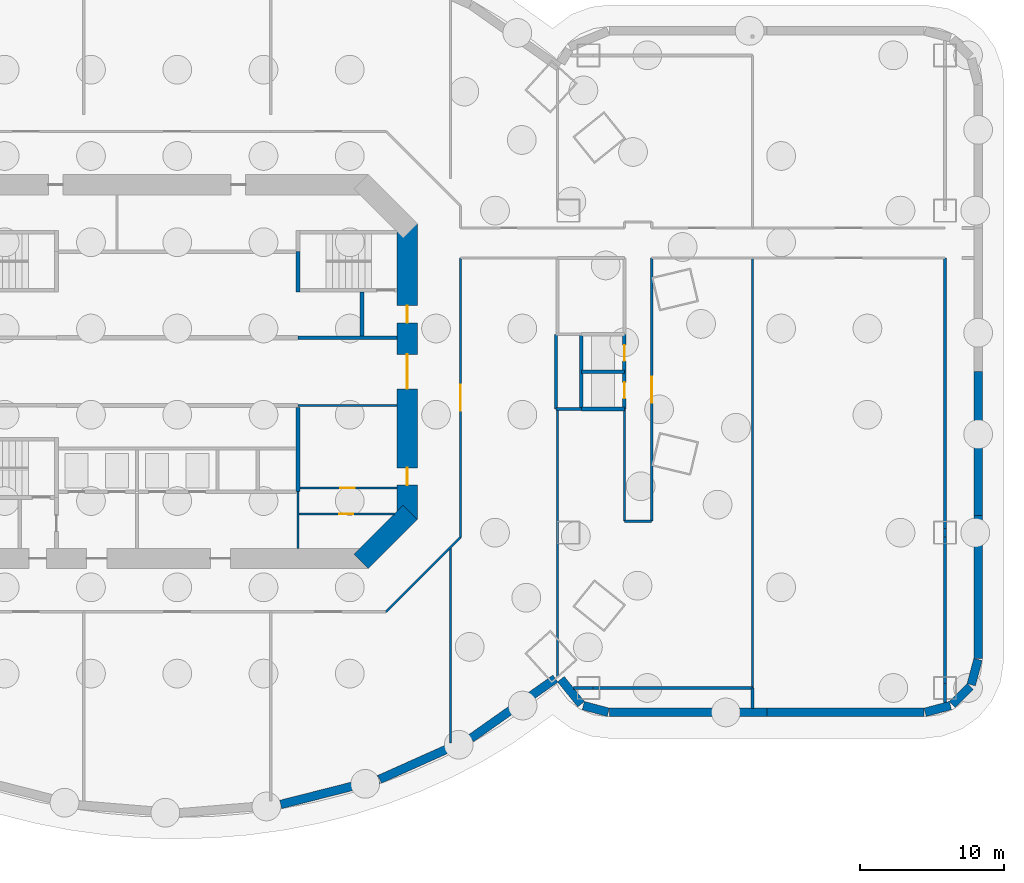
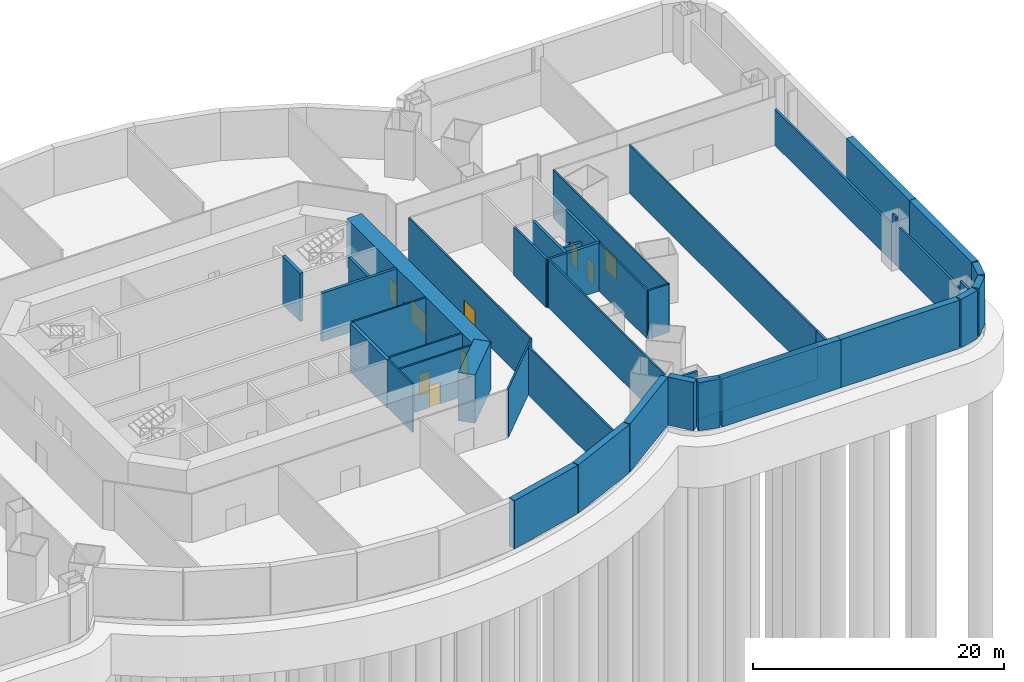
# One storey, part 5 of 9: 43 walls, 9 doors, 9 openings.
"""IFC4 building model written with IfcOpenShell, lengths in metres."""

from ifc_helpers import new_model, si_unit, direction, frame, frame_2d, origin, place, context, subcontext, project, spatial, rectangle, extrude, material, layer, layer_set, type_object, element, fill, save


model = new_model("IFC4")

# Units and contexts
model_context = context("Model", 3, precision=1e-05, world=origin(), true_north=direction((0.0, 1.0)))
body_context = subcontext(model_context, "Body", "Model", "MODEL_VIEW")
ifc_project = project(units=[si_unit("LENGTHUNIT", "METRE"), si_unit("AREAUNIT", "SQUARE_METRE"), si_unit("VOLUMEUNIT", "CUBIC_METRE"), si_unit("PLANEANGLEUNIT", "RADIAN"), si_unit("MASSUNIT", "GRAM", prefix="KILO")], contexts=[model_context])

# Site, building, storey
site_placement = place(None, origin())
site = spatial("IfcSite", under=ifc_project, at=site_placement, CompositionType="ELEMENT")
building_placement = place(site_placement, origin())
building = spatial("IfcBuilding", under=site, at=building_placement, Name="Marenthal Gate Tower", CompositionType="ELEMENT")
storey_placement = place(building_placement, frame((0.0, 0.0, -10.0)))
storey = spatial("IfcBuildingStorey", under=building, at=storey_placement, Name="B2", CompositionType="ELEMENT", Elevation=-10.0)

# Walls
ifc_material_1 = material(Name="Concrete 50 MPa", Category="concrete")
ifc_layer_1 = layer(ifc_material_1, 0.60009765625)
ifc_layer_set_1 = layer_set([ifc_layer_1], Name="BASEMENT WALL 600")
wall_type_1 = type_object("IfcWallType", Name="BASEMENT WALL 600", PredefinedType="SOLIDWALL", material=ifc_layer_set_1)
wall_1_placement = place(storey_placement, frame((7.191650390625, -30.1025390625, 0.0), z_axis=(0.0, 0.0, 1.0), x_axis=(0.96919567172, 0.246292001332, 0.0)))
element("IfcWall", 1, at=wall_1_placement, inside=storey, type_object=wall_type_1, Name="BW-B2-06", PredefinedType="SOLIDWALL", context=body_context, shape_type="SweptSolid", body=[
    extrude(rectangle(XDim=7.061767578125, YDim=0.60009765625, at=frame_2d((3.53076171875, 0.0))), origin(), (0.0, 0.0, 1.0), 4.699951171875),
])
wall_2_placement = place(storey_placement, frame((14.0830078125, -28.346923828125, 0.0), z_axis=(0.0, 0.0, 1.0), x_axis=(0.912658583427, 0.40872277903, 0.0)))
element("IfcWall", 2, at=wall_2_placement, inside=storey, type_object=wall_type_1, Name="BW-B2-07", PredefinedType="SOLIDWALL", context=body_context, shape_type="SweptSolid", body=[
    extrude(rectangle(XDim=6.902587890625, YDim=0.60009765625, at=frame_2d((3.451171875, 0.0))), origin(), (0.0, 0.0, 1.0), 4.699951171875),
])
wall_3_placement = place(storey_placement, frame((20.431884765625, -25.497802734375, 0.0), z_axis=(0.0, 0.0, 1.0), x_axis=(0.816770877084, 0.576962160238, 0.0)))
element("IfcWall", 3, at=wall_3_placement, inside=storey, type_object=wall_type_1, Name="BW-B2-08", PredefinedType="SOLIDWALL", context=body_context, shape_type="SweptSolid", body=[
    extrude(rectangle(XDim=7.180419921875, YDim=0.60009765625, at=frame_2d((3.59033203125, 0.0))), origin(), (0.0, 0.0, 1.0), 4.699951171875),
])
wall_4_placement = place(storey_placement, frame((26.683349609375, -21.38720703125, 0.0), z_axis=(0.0, 0.0, 1.0), x_axis=(0.62890612744, -0.777481242776, 0.0)))
element("IfcWall", 4, at=wall_4_placement, inside=storey, type_object=wall_type_1, Name="BW-B2-09", PredefinedType="SOLIDWALL", context=body_context, shape_type="SweptSolid", body=[
    extrude(rectangle(XDim=2.236328125, YDim=0.60009765625, at=frame_2d((1.1181640625, 0.0))), origin(), (0.0, 0.0, 1.0), 4.699951171875),
])
wall_5_placement = place(storey_placement, frame((28.243408203125, -23.2265625, 0.0), z_axis=(0.0, 0.0, 1.0), x_axis=(0.966257460443, -0.257578182573, 0.0)))
element("IfcWall", 5, at=wall_5_placement, inside=storey, type_object=wall_type_1, Name="BW-B2-10", PredefinedType="SOLIDWALL", context=body_context, shape_type="SweptSolid", body=[
    extrude(rectangle(XDim=1.799072265625, YDim=0.60009765625, at=frame_2d((0.8994140625, 0.0))), origin(), (0.0, 0.0, 1.0), 4.699951171875),
])
wall_6_placement = place(storey_placement, frame((30.05712890625, -23.699951171875, 0.0), z_axis=(0.0, 0.0, 1.0), x_axis=(1.0, 0.0, 0.0)))
element("IfcWall", 6, at=wall_6_placement, inside=storey, type_object=wall_type_1, Name="BW-B2-11", PredefinedType="SOLIDWALL", context=body_context, shape_type="SweptSolid", body=[
    extrude(rectangle(XDim=10.94287109375, YDim=0.60009765625, at=frame_2d((5.471435546875, 0.0))), origin(), (0.0, 0.0, 1.0), 4.699951171875),
])
wall_7_placement = place(storey_placement, frame((41.00048828125, -23.699951171875, 0.0), z_axis=(0.0, 0.0, 1.0), x_axis=(1.0, 0.0, 0.0)))
element("IfcWall", 7, at=wall_7_placement, inside=storey, type_object=wall_type_1, Name="BW-B2-12", PredefinedType="SOLIDWALL", context=body_context, shape_type="SweptSolid", body=[
    extrude(rectangle(XDim=10.9404296875, YDim=0.60009765625, at=frame_2d((5.47021484375, 0.0))), origin(), (0.0, 0.0, 1.0), 4.699951171875),
])
wall_8_placement = place(storey_placement, frame((52.0166015625, -23.690185546875, 0.0), z_axis=(0.0, 0.0, 1.0), x_axis=(0.966301872336, 0.257411521733, 0.0)))
element("IfcWall", 8, at=wall_8_placement, inside=storey, type_object=wall_type_1, Name="BW-B2-13", PredefinedType="SOLIDWALL", context=body_context, shape_type="SweptSolid", body=[
    extrude(rectangle(XDim=1.8154296875, YDim=0.60009765625, at=frame_2d((0.90771484375, 0.0))), origin(), (0.0, 0.0, 1.0), 4.699951171875),
])
wall_9_placement = place(storey_placement, frame((53.904052734375, -23.146484375, 0.0), z_axis=(0.0, 0.0, 1.0), x_axis=(0.707176340655, 0.707037214875, 0.0)))
element("IfcWall", 9, at=wall_9_placement, inside=storey, type_object=wall_type_1, Name="BW-B2-14", PredefinedType="SOLIDWALL", context=body_context, shape_type="SweptSolid", body=[
    extrude(rectangle(XDim=1.7548828125, YDim=0.60009765625, at=frame_2d((0.87744140625, 0.0))), origin(), (0.0, 0.0, 1.0), 4.699951171875),
])
wall_10_placement = place(storey_placement, frame((55.22216796875, -21.77294921875, 0.0), z_axis=(0.0, 0.0, 1.0), x_axis=(0.257595706611, 0.966252788837, 0.0)))
element("IfcWall", 10, at=wall_10_placement, inside=storey, type_object=wall_type_1, Name="BW-B2-15", PredefinedType="SOLIDWALL", context=body_context, shape_type="SweptSolid", body=[
    extrude(rectangle(XDim=1.81591796875, YDim=0.60009765625, at=frame_2d((0.907958984375, 0.0))), origin(), (0.0, 0.0, 1.0), 4.699951171875),
])
wall_11_placement = place(storey_placement, frame((55.699951171875, -19.94287109375, 0.0), z_axis=(0.0, 0.0, 1.0), x_axis=(0.0, 1.0, 0.0)))
element("IfcWall", 11, at=wall_11_placement, inside=storey, type_object=wall_type_1, Name="BW-B2-16", PredefinedType="SOLIDWALL", context=body_context, shape_type="SweptSolid", body=[
    extrude(rectangle(XDim=9.95263671875, YDim=0.60009765625, at=frame_2d((4.976318359375, 0.0))), origin(), (0.0, 0.0, 1.0), 4.699951171875),
])
wall_12_placement = place(storey_placement, frame((55.699951171875, -9.98974609375, 0.0), z_axis=(0.0, 0.0, 1.0), x_axis=(0.0, 1.0, 0.0)))
element("IfcWall", 12, at=wall_12_placement, inside=storey, type_object=wall_type_1, Name="BW-B2-17", PredefinedType="SOLIDWALL", context=body_context, shape_type="SweptSolid", body=[
    extrude(rectangle(XDim=9.98974609375, YDim=0.60009765625, at=frame_2d((4.994873046875, 0.0))), origin(), (0.0, 0.0, 1.0), 4.699951171875),
])
ifc_material_2 = material(Name="Concrete 60 MPa", Category="concrete")
ifc_layer_2 = layer(ifc_material_2, 1.39990234375)
ifc_layer_set_2 = layer_set([ifc_layer_2], Name="Core shear wall 1400")
wall_type_2 = type_object("IfcWallType", Name="Core shear wall 1400", PredefinedType="SHEAR", material=ifc_layer_set_2)
wall_13_placement = place(storey_placement, frame((12.794921875, -13.205078125, 0.0), z_axis=(0.0, 0.0, 1.0), x_axis=(0.707106781187, 0.707106781187, 0.0)))
element("IfcWall", 13, at=wall_13_placement, inside=storey, type_object=wall_type_2, Name="Core wall 01", PredefinedType="SHEAR", context=body_context, shape_type="SweptSolid", body=[
    extrude(rectangle(XDim=4.82275390625, YDim=1.39990234375, at=frame_2d((2.411376953125, 0.0))), origin(), (0.0, 0.0, 1.0), 4.699951171875),
])

# Wall, openings, doors
wall_14_placement = place(storey_placement, frame((16.0, -10.289794921875, 0.0), z_axis=(0.0, 0.0, 1.0), x_axis=(0.0, 1.0, 0.0)))
wall_14 = element("IfcWall", 14, at=wall_14_placement, inside=storey, type_object=wall_type_2, Name="Core wall 02", PredefinedType="SHEAR", context=body_context, shape_type="SweptSolid", body=[
    extrude(rectangle(XDim=20.57958984375, YDim=1.39990234375, at=frame_2d((10.289794921875, 0.0))), origin(), (0.0, 0.0, 1.0), 4.699951171875),
])
opening_1_placement = place(wall_14_placement, frame((9.08984375, 0.0, 0.0)))
opening_1 = element("IfcOpeningElement", 15, at=opening_1_placement, cuts=wall_14, Name="Opening D003.02", PredefinedType="OPENING", context=body_context, shape_type="SweptSolid", body=[
    extrude(rectangle(XDim=2.39990234375, YDim=2.10009765625, at=frame_2d((1.199951171875, 1.050048828125))), frame((0.0, 0.7099609375, 0.0), z_axis=(0.0, -1.0, 0.0), x_axis=(1.0, 0.0, 0.0)), (0.0, 0.0, 1.0), 1.419921875),
])
opening_2_placement = place(wall_14_placement, frame((13.68994140625, 0.0, 0.0)))
opening_2 = element("IfcOpeningElement", 16, at=opening_2_placement, cuts=wall_14, Name="Opening D001.05", PredefinedType="OPENING", context=body_context, shape_type="SweptSolid", body=[
    extrude(rectangle(XDim=1.199951171875, YDim=2.10009765625, at=frame_2d((0.60009765625, 1.050048828125))), frame((0.0, 0.7099609375, 0.0), z_axis=(0.0, -1.0, 0.0), x_axis=(1.0, 0.0, 0.0)), (0.0, 0.0, 1.0), 1.419921875),
])
opening_3_placement = place(wall_14_placement, frame((2.39990234375, 0.0, 0.0)))
opening_3 = element("IfcOpeningElement", 17, at=opening_3_placement, cuts=wall_14, Name="Opening D006.01", PredefinedType="OPENING", context=body_context, shape_type="SweptSolid", body=[
    extrude(rectangle(XDim=1.199951171875, YDim=2.10009765625, at=frame_2d((0.60009765625, 1.050048828125))), frame((0.0, 0.7099609375, 0.0), z_axis=(0.0, -1.0, 0.0), x_axis=(1.0, 0.0, 0.0)), (0.0, 0.0, 1.0), 1.419921875),
])
ifc_material_3 = material(Name="Steel fire door", Category="steel")
door_type_1 = type_object("IfcDoorType", Name="Double fire door FD 45 2400 x 2100", OperationType="DOUBLE_DOOR_SINGLE_SWING", PredefinedType="DOOR", material=ifc_material_3)
door_1_placement = place(opening_1_placement, origin())
door_1 = element("IfcDoor", 18, at=door_1_placement, inside=storey, type_object=door_type_1, Name="Door D003.02", OperationType="DOUBLE_DOOR_SINGLE_SWING", OverallHeight=2.10009765625, OverallWidth=2.39990234375, PredefinedType="DOOR", context=body_context, shape_type="SweptSolid", body=[
    extrude(rectangle(XDim=2.39990234375, YDim=2.10009765625, at=frame_2d((1.199951171875, 1.050048828125))), frame((0.0, 0.02490234375, 0.0), z_axis=(0.0, -1.0, 0.0), x_axis=(1.0, 0.0, 0.0)), (0.0, 0.0, 1.0), 0.050048828125),
])
fill(opening_1, door_1)
ifc_material_4 = material(Name="Steel fire door", Category="steel")
door_type_2 = type_object("IfcDoorType", Name="Fire door FD 45 1200 x 2100", OperationType="NOTDEFINED", PredefinedType="DOOR", material=ifc_material_4)
door_2_placement = place(opening_3_placement, origin())
door_2 = element("IfcDoor", 19, at=door_2_placement, inside=storey, type_object=door_type_2, Name="Door D006.01", OperationType="SINGLE_SWING_RIGHT", OverallHeight=2.10009765625, OverallWidth=1.199951171875, PredefinedType="DOOR", context=body_context, shape_type="SweptSolid", body=[
    extrude(rectangle(XDim=1.199951171875, YDim=2.10009765625, at=frame_2d((0.60009765625, 1.050048828125))), frame((0.0, 0.02490234375, 0.0), z_axis=(0.0, -1.0, 0.0), x_axis=(1.0, 0.0, 0.0)), (0.0, 0.0, 1.0), 0.050048828125),
])
fill(opening_3, door_2)
ifc_material_5 = material(Name="Steel fire door", Category="steel")
door_type_3 = type_object("IfcDoorType", Name="Fire door FD 90 1200 x 2100", OperationType="NOTDEFINED", PredefinedType="DOOR", material=ifc_material_5)
door_3_placement = place(opening_2_placement, origin())
door_3 = element("IfcDoor", 20, at=door_3_placement, inside=storey, type_object=door_type_3, Name="Door D001.05", OperationType="SINGLE_SWING_RIGHT", OverallHeight=2.10009765625, OverallWidth=1.199951171875, PredefinedType="DOOR", context=body_context, shape_type="SweptSolid", body=[
    extrude(rectangle(XDim=1.199951171875, YDim=2.10009765625, at=frame_2d((0.60009765625, 1.050048828125))), frame((0.0, 0.02490234375, 0.0), z_axis=(0.0, -1.0, 0.0), x_axis=(1.0, 0.0, 0.0)), (0.0, 0.0, 1.0), 0.050048828125),
])
fill(opening_2, door_3)

# Walls
ifc_material_6 = material(Name="Concrete 50 MPa", Category="concrete")
ifc_layer_3 = layer(ifc_material_6, 0.300048828125)
ifc_layer_set_3 = layer_set([ifc_layer_3], Name="Hoistway shear wall 300")
wall_type_3 = type_object("IfcWallType", Name="Hoistway shear wall 300", PredefinedType="SHEAR", material=ifc_layer_set_3)
wall_15_placement = place(storey_placement, frame((8.39990234375, -8.35009765625, 0.0), z_axis=(0.0, 0.0, 1.0), x_axis=(0.0, 1.0, 0.0)))
element("IfcWall", 21, at=wall_15_placement, inside=storey, type_object=wall_type_3, Name="Hoistway wall 39", PredefinedType="SHEAR", context=body_context, shape_type="SweptSolid", body=[
    extrude(rectangle(XDim=5.85009765625, YDim=0.300048828125, at=frame_2d((2.925048828125, 0.0))), origin(), (0.0, 0.0, 1.0), 4.699951171875),
])
wall_16_placement = place(storey_placement, frame((8.39990234375, 5.52490234375, 0.0), z_axis=(0.0, 0.0, 1.0), x_axis=(0.0, 1.0, 0.0)))
element("IfcWall", 22, at=wall_16_placement, inside=storey, type_object=wall_type_3, Name="Hoistway wall 40", PredefinedType="SHEAR", context=body_context, shape_type="SweptSolid", body=[
    extrude(rectangle(XDim=2.8251953125, YDim=0.300048828125, at=frame_2d((1.41259765625, 0.0))), origin(), (0.0, 0.0, 1.0), 4.699951171875),
])
ifc_material_7 = material(Name="Concrete 40 MPa", Category="concrete")
ifc_layer_4 = layer(ifc_material_7, 0.25)
ifc_layer_set_4 = layer_set([ifc_layer_4], Name="Hoistway wall 250")
wall_type_4 = type_object("IfcWallType", Name="Hoistway wall 250", PredefinedType="STANDARD", material=ifc_layer_set_4)
wall_17_placement = place(storey_placement, frame((28.10009765625, -2.60009765625, 0.0), z_axis=(0.0, 0.0, 1.0), x_axis=(1.0, 0.0, 0.0)))
element("IfcWall", 23, at=wall_17_placement, inside=storey, type_object=wall_type_4, Name="Hoistway wall 44", PredefinedType="STANDARD", context=body_context, shape_type="SweptSolid", body=[
    extrude(rectangle(XDim=3.0, YDim=0.25, at=frame_2d((1.5, 0.0))), origin(), (0.0, 0.0, 1.0), 4.699951171875),
])
wall_18_placement = place(storey_placement, frame((28.10009765625, 0.0, 0.0), z_axis=(0.0, 0.0, 1.0), x_axis=(1.0, 0.0, 0.0)))
element("IfcWall", 24, at=wall_18_placement, inside=storey, type_object=wall_type_4, Name="Hoistway wall 46", PredefinedType="STANDARD", context=body_context, shape_type="SweptSolid", body=[
    extrude(rectangle(XDim=3.0, YDim=0.25, at=frame_2d((1.5, 0.0))), origin(), (0.0, 0.0, 1.0), 3.199951171875),
])

# Wall, openings, doors
wall_19_placement = place(storey_placement, frame((31.10009765625, -2.60498046875, 0.0), z_axis=(0.0, 0.0, 1.0), x_axis=(0.0, 1.0, 0.0)))
wall_19 = element("IfcWall", 25, at=wall_19_placement, inside=storey, type_object=wall_type_4, Name="Hoistway wall 49", PredefinedType="STANDARD", context=body_context, shape_type="SweptSolid", body=[
    extrude(rectangle(XDim=5.2099609375, YDim=0.25, at=frame_2d((2.60498046875, 0.0))), origin(), (0.0, 0.0, 1.0), 4.699951171875),
])
opening_4_placement = place(wall_19_placement, frame((0.7548828125, 0.0, 0.0)))
opening_4 = element("IfcOpeningElement", 26, at=opening_4_placement, cuts=wall_19, Name="Opening LD.01", PredefinedType="OPENING", context=body_context, shape_type="SweptSolid", body=[
    extrude(rectangle(XDim=1.10009765625, YDim=2.10009765625, at=frame_2d((0.550048828125, 1.050048828125))), frame((0.0, 0.135009765625, 0.0), z_axis=(0.0, -1.0, 0.0), x_axis=(1.0, 0.0, 0.0)), (0.0, 0.0, 1.0), 0.27001953125),
])
opening_5_placement = place(wall_19_placement, frame((3.35498046875, 0.0, 0.0)))
opening_5 = element("IfcOpeningElement", 27, at=opening_5_placement, cuts=wall_19, Name="Opening LD.02", PredefinedType="OPENING", context=body_context, shape_type="SweptSolid", body=[
    extrude(rectangle(XDim=1.10009765625, YDim=2.10009765625, at=frame_2d((0.550048828125, 1.050048828125))), frame((0.0, 0.135009765625, 0.0), z_axis=(0.0, -1.0, 0.0), x_axis=(1.0, 0.0, 0.0)), (0.0, 0.0, 1.0), 0.27001953125),
])
ifc_material_8 = material(Name="Stainless steel sliding door", Category="steel")
door_type_4 = type_object("IfcDoorType", Name="Lift landing door FD 90 1100 x 2100", OperationType="DOUBLE_DOOR_SLIDING", PredefinedType="DOOR", material=ifc_material_8)
door_4_placement = place(opening_4_placement, origin())
door_4 = element("IfcDoor", 28, at=door_4_placement, inside=storey, type_object=door_type_4, Name="Lift landing door 01", OperationType="DOUBLE_DOOR_SLIDING", OverallHeight=2.10009765625, OverallWidth=1.10009765625, PredefinedType="DOOR", context=body_context, shape_type="SweptSolid", body=[
    extrude(rectangle(XDim=1.10009765625, YDim=2.10009765625, at=frame_2d((0.550048828125, 1.050048828125))), frame((0.0, 0.02490234375, 0.0), z_axis=(0.0, -1.0, 0.0), x_axis=(1.0, 0.0, 0.0)), (0.0, 0.0, 1.0), 0.050048828125),
])
fill(opening_4, door_4)
door_5_placement = place(opening_5_placement, origin())
door_5 = element("IfcDoor", 29, at=door_5_placement, inside=storey, type_object=door_type_4, Name="Lift landing door 02", OperationType="DOUBLE_DOOR_SLIDING", OverallHeight=2.10009765625, OverallWidth=1.10009765625, PredefinedType="DOOR", context=body_context, shape_type="SweptSolid", body=[
    extrude(rectangle(XDim=1.10009765625, YDim=2.10009765625, at=frame_2d((0.550048828125, 1.050048828125))), frame((0.0, 0.02490234375, 0.0), z_axis=(0.0, -1.0, 0.0), x_axis=(1.0, 0.0, 0.0)), (0.0, 0.0, 1.0), 0.050048828125),
])
fill(opening_5, door_5)

# Wall
wall_20_placement = place(storey_placement, frame((28.10009765625, -2.60009765625, 0.0), z_axis=(0.0, 0.0, 1.0), x_axis=(0.0, 1.0, 0.0)))
element("IfcWall", 30, at=wall_20_placement, inside=storey, type_object=wall_type_4, Name="Hoistway wall 50", PredefinedType="STANDARD", context=body_context, shape_type="SweptSolid", body=[
    extrude(rectangle(XDim=5.2001953125, YDim=0.25, at=frame_2d((2.60009765625, 0.0))), origin(), (0.0, 0.0, 1.0), 4.699951171875),
])

# Wall, opening, door
ifc_material_9 = material(Name="Gypsum board on steel studs", Category="steel")
ifc_layer_5 = layer(ifc_material_9, 0.14990234375)
ifc_layer_set_5 = layer_set([ifc_layer_5], Name="Partition 150")
wall_type_5 = type_object("IfcWallType", Name="Partition 150", PredefinedType="PARTITIONING", material=ifc_layer_set_5)
wall_21_placement = place(storey_placement, frame((8.47509765625, -9.89990234375, 0.0), z_axis=(0.0, 0.0, 1.0), x_axis=(1.0, 0.0, 0.0)))
wall_21 = element("IfcWall", 31, at=wall_21_placement, inside=storey, type_object=wall_type_5, Name="Partition wall 09", PredefinedType="PARTITIONING", context=body_context, shape_type="SweptSolid", body=[
    extrude(rectangle(XDim=6.635009765625, YDim=0.14990234375, at=frame_2d((3.3173828125, 0.0))), origin(), (0.0, 0.0, 1.0), 4.699951171875),
])
opening_6_placement = place(wall_21_placement, frame((2.780029296875, 0.0, 0.0)))
opening_6 = element("IfcOpeningElement", 32, at=opening_6_placement, cuts=wall_21, Name="Opening D005.04", PredefinedType="OPENING", context=body_context, shape_type="SweptSolid", body=[
    extrude(rectangle(XDim=1.0, YDim=2.10009765625, at=frame_2d((0.5, 1.050048828125))), frame((0.0, 0.0849609375, 0.0), z_axis=(0.0, -1.0, 0.0), x_axis=(1.0, 0.0, 0.0)), (0.0, 0.0, 1.0), 0.169921875),
])
ifc_material_10 = material(Name="Steel fire door", Category="steel")
door_type_5 = type_object("IfcDoorType", Name="Fire door FD 45 1000 x 2100", OperationType="NOTDEFINED", PredefinedType="DOOR", material=ifc_material_10)
door_6_placement = place(opening_6_placement, frame((1.0, 0.0, 0.0), z_axis=(0.0, 0.0, 1.0), x_axis=(-1.0, 0.0, 0.0)))
door_6 = element("IfcDoor", 33, at=door_6_placement, inside=storey, type_object=door_type_5, Name="Door D005.04", OperationType="SINGLE_SWING_LEFT", OverallHeight=2.10009765625, OverallWidth=1.0, PredefinedType="DOOR", context=body_context, shape_type="SweptSolid", body=[
    extrude(rectangle(XDim=1.0, YDim=2.10009765625, at=frame_2d((0.5, 1.050048828125))), frame((0.0, 0.02490234375, 0.0), z_axis=(0.0, -1.0, 0.0), x_axis=(1.0, 0.0, 0.0)), (0.0, 0.0, 1.0), 0.050048828125),
])
fill(opening_6, door_6)

wall_22_placement = place(storey_placement, frame((8.550048828125, -8.10009765625, 0.0), z_axis=(0.0, 0.0, 1.0), x_axis=(1.0, 0.0, 0.0)))
wall_22 = element("IfcWall", 34, at=wall_22_placement, inside=storey, type_object=wall_type_5, Name="Partition wall 13", PredefinedType="PARTITIONING", context=body_context, shape_type="SweptSolid", body=[
    extrude(rectangle(XDim=6.75, YDim=0.14990234375, at=frame_2d((3.375, 0.0))), origin(), (0.0, 0.0, 1.0), 4.699951171875),
])
opening_7_placement = place(wall_22_placement, frame((2.800048828125, 0.0, 0.0)))
opening_7 = element("IfcOpeningElement", 35, at=opening_7_placement, cuts=wall_22, Name="Opening D005.03", PredefinedType="OPENING", context=body_context, shape_type="SweptSolid", body=[
    extrude(rectangle(XDim=1.0, YDim=2.10009765625, at=frame_2d((0.5, 1.050048828125))), frame((0.0, 0.0849609375, 0.0), z_axis=(0.0, -1.0, 0.0), x_axis=(1.0, 0.0, 0.0)), (0.0, 0.0, 1.0), 0.169921875),
])
door_7_placement = place(opening_7_placement, origin())
door_7 = element("IfcDoor", 36, at=door_7_placement, inside=storey, type_object=door_type_5, Name="Door D005.03", OperationType="SINGLE_SWING_RIGHT", OverallHeight=2.10009765625, OverallWidth=1.0, PredefinedType="DOOR", context=body_context, shape_type="SweptSolid", body=[
    extrude(rectangle(XDim=1.0, YDim=2.10009765625, at=frame_2d((0.5, 1.050048828125))), frame((0.0, 0.02490234375, 0.0), z_axis=(0.0, -1.0, 0.0), x_axis=(1.0, 0.0, 0.0)), (0.0, 0.0, 1.0), 0.050048828125),
])
fill(opening_7, door_7)

# Walls
wall_23_placement = place(storey_placement, frame((8.39990234375, -2.35009765625, 0.0), z_axis=(0.0, 0.0, 1.0), x_axis=(1.0, 0.0, 0.0)))
element("IfcWall", 37, at=wall_23_placement, inside=storey, type_object=wall_type_5, Name="Partition wall 18", PredefinedType="PARTITIONING", context=body_context, shape_type="SweptSolid", body=[
    extrude(rectangle(XDim=6.900146484375, YDim=0.14990234375, at=frame_2d((3.4501953125, 0.0))), origin(), (0.0, 0.0, 1.0), 4.699951171875),
])
wall_24_placement = place(storey_placement, frame((8.39990234375, -12.300048828125, 0.0), z_axis=(0.0, 0.0, 1.0), x_axis=(0.0, 1.0, 0.0)))
element("IfcWall", 38, at=wall_24_placement, inside=storey, type_object=wall_type_5, Name="Partition wall 38", PredefinedType="PARTITIONING", context=body_context, shape_type="SweptSolid", body=[
    extrude(rectangle(XDim=3.949951171875, YDim=0.14990234375, at=frame_2d((1.97509765625, 0.0))), origin(), (0.0, 0.0, 1.0), 4.699951171875),
])
wall_25_placement = place(storey_placement, frame((31.10009765625, -10.39990234375, 0.0), z_axis=(0.0, 0.0, 1.0), x_axis=(1.0, 0.0, 0.0)))
element("IfcWall", 39, at=wall_25_placement, inside=storey, type_object=wall_type_5, Name="Partition wall 53", PredefinedType="PARTITIONING", context=body_context, shape_type="SweptSolid", body=[
    extrude(rectangle(XDim=1.89990234375, YDim=0.14990234375, at=frame_2d((0.949951171875, 0.0))), origin(), (0.0, 0.0, 1.0), 4.699951171875),
])
wall_26_placement = place(storey_placement, frame((40.0, -22.0, 0.0), z_axis=(0.0, 0.0, 1.0), x_axis=(0.0, 1.0, 0.0)))
element("IfcWall", 40, at=wall_26_placement, inside=storey, type_object=wall_type_5, Name="Partition wall 62", PredefinedType="PARTITIONING", context=body_context, shape_type="SweptSolid", body=[
    extrude(rectangle(XDim=29.89990234375, YDim=0.14990234375, at=frame_2d((14.949951171875, 0.0))), origin(), (0.0, 0.0, 1.0), 4.699951171875),
])

# Wall, opening, door
wall_27_placement = place(storey_placement, frame((33.0, -10.39990234375, 0.0), z_axis=(0.0, 0.0, 1.0), x_axis=(0.0, 1.0, 0.0)))
wall_27 = element("IfcWall", 41, at=wall_27_placement, inside=storey, type_object=wall_type_5, Name="Partition wall 64", PredefinedType="PARTITIONING", context=body_context, shape_type="SweptSolid", body=[
    extrude(rectangle(XDim=18.304931640625, YDim=0.14990234375, at=frame_2d((9.15234375, 0.0))), origin(), (0.0, 0.0, 1.0), 4.699951171875),
])
opening_8_placement = place(wall_27_placement, frame((8.25, 0.0, 0.0)))
opening_8 = element("IfcOpeningElement", 42, at=opening_8_placement, cuts=wall_27, Name="Opening D008.02", PredefinedType="OPENING", context=body_context, shape_type="SweptSolid", body=[
    extrude(rectangle(XDim=1.800048828125, YDim=2.10009765625, at=frame_2d((0.89990234375, 1.050048828125))), frame((0.0, 0.0849609375, 0.0), z_axis=(0.0, -1.0, 0.0), x_axis=(1.0, 0.0, 0.0)), (0.0, 0.0, 1.0), 0.169921875),
])
ifc_material_11 = material(Name="Steel fire door", Category="steel")
door_type_6 = type_object("IfcDoorType", Name="Double fire door FD 90 1800 x 2100", OperationType="DOUBLE_DOOR_SINGLE_SWING", PredefinedType="DOOR", material=ifc_material_11)
door_8_placement = place(opening_8_placement, origin())
door_8 = element("IfcDoor", 43, at=door_8_placement, inside=storey, type_object=door_type_6, Name="Door D008.02", OperationType="DOUBLE_DOOR_SINGLE_SWING", OverallHeight=2.10009765625, OverallWidth=1.800048828125, PredefinedType="DOOR", context=body_context, shape_type="SweptSolid", body=[
    extrude(rectangle(XDim=1.800048828125, YDim=2.10009765625, at=frame_2d((0.89990234375, 1.050048828125))), frame((0.0, 0.02490234375, 0.0), z_axis=(0.0, -1.0, 0.0), x_axis=(1.0, 0.0, 0.0)), (0.0, 0.0, 1.0), 0.050048828125),
])
fill(opening_8, door_8)

# Walls
wall_28_placement = place(storey_placement, frame((31.10009765625, -10.39990234375, 0.0), z_axis=(0.0, 0.0, 1.0), x_axis=(0.0, 1.0, 0.0)))
element("IfcWall", 44, at=wall_28_placement, inside=storey, type_object=wall_type_5, Name="Partition wall 66", PredefinedType="PARTITIONING", context=body_context, shape_type="SweptSolid", body=[
    extrude(rectangle(XDim=7.804931640625, YDim=0.14990234375, at=frame_2d((3.90234375, 0.0))), origin(), (0.0, 0.0, 1.0), 4.699951171875),
])
wall_29_placement = place(storey_placement, frame((26.449951171875, -21.222412109375, 0.0), z_axis=(0.0, 0.0, 1.0), x_axis=(0.0, 1.0, 0.0)))
element("IfcWall", 45, at=wall_29_placement, inside=storey, type_object=wall_type_5, Name="Partition wall 68", PredefinedType="PARTITIONING", context=body_context, shape_type="SweptSolid", body=[
    extrude(rectangle(XDim=18.622314453125, YDim=0.14990234375, at=frame_2d((9.31103515625, 0.0))), origin(), (0.0, 0.0, 1.0), 4.699951171875),
])
wall_30_placement = place(storey_placement, frame((14.532470703125, -16.699951171875, 0.0), z_axis=(0.0, 0.0, 1.0), x_axis=(0.707106781187, 0.707106781187, 0.0)))
element("IfcWall", 46, at=wall_30_placement, inside=storey, type_object=wall_type_5, Name="Partition wall 91", PredefinedType="PARTITIONING", context=body_context, shape_type="SweptSolid", body=[
    extrude(rectangle(XDim=7.307861328125, YDim=0.14990234375, at=frame_2d((3.65380859375, 0.0))), origin(), (0.0, 0.0, 1.0), 4.699951171875),
])

# Wall, opening, door
wall_31_placement = place(storey_placement, frame((19.699951171875, -11.532470703125, 0.0), z_axis=(0.0, 0.0, 1.0), x_axis=(0.0, 1.0, 0.0)))
wall_31 = element("IfcWall", 47, at=wall_31_placement, inside=storey, type_object=wall_type_5, Name="Partition wall 93", PredefinedType="PARTITIONING", context=body_context, shape_type="SweptSolid", body=[
    extrude(rectangle(XDim=19.4375, YDim=0.14990234375, at=frame_2d((9.71875, 0.0))), origin(), (0.0, 0.0, 1.0), 4.699951171875),
])
opening_9_placement = place(wall_31_placement, frame((8.816162109375, 0.0, 0.0)))
opening_9 = element("IfcOpeningElement", 48, at=opening_9_placement, cuts=wall_31, Name="Opening D007.06", PredefinedType="OPENING", context=body_context, shape_type="SweptSolid", body=[
    extrude(rectangle(XDim=1.800048828125, YDim=2.10009765625, at=frame_2d((0.89990234375, 1.050048828125))), frame((0.0, 0.0849609375, 0.0), z_axis=(0.0, -1.0, 0.0), x_axis=(1.0, 0.0, 0.0)), (0.0, 0.0, 1.0), 0.169921875),
])
ifc_material_12 = material(Name="Steel fire door", Category="steel")
door_type_7 = type_object("IfcDoorType", Name="Double fire door FD 45 1800 x 2100", OperationType="DOUBLE_DOOR_SINGLE_SWING", PredefinedType="DOOR", material=ifc_material_12)
door_9_placement = place(opening_9_placement, origin())
door_9 = element("IfcDoor", 49, at=door_9_placement, inside=storey, type_object=door_type_7, Name="Door D007.06", OperationType="DOUBLE_DOOR_SINGLE_SWING", OverallHeight=2.10009765625, OverallWidth=1.800048828125, PredefinedType="DOOR", context=body_context, shape_type="SweptSolid", body=[
    extrude(rectangle(XDim=1.800048828125, YDim=2.10009765625, at=frame_2d((0.89990234375, 1.050048828125))), frame((0.0, 0.02490234375, 0.0), z_axis=(0.0, -1.0, 0.0), x_axis=(1.0, 0.0, 0.0)), (0.0, 0.0, 1.0), 0.050048828125),
])
fill(opening_9, door_9)

# Walls
wall_32_placement = place(storey_placement, frame((19.0, -25.835205078125, 0.0), z_axis=(0.0, 0.0, 1.0), x_axis=(0.0, 1.0, 0.0)))
element("IfcWall", 50, at=wall_32_placement, inside=storey, type_object=wall_type_5, Name="Partition wall 94", PredefinedType="PARTITIONING", context=body_context, shape_type="SweptSolid", body=[
    extrude(rectangle(XDim=13.602783203125, YDim=0.14990234375, at=frame_2d((6.80126953125, 0.0))), origin(), (0.0, 0.0, 1.0), 4.699951171875),
])
ifc_material_13 = material(Name="Gypsum board on steel studs", Category="steel")
ifc_layer_6 = layer(ifc_material_13, 0.199951171875)
ifc_layer_set_6 = layer_set([ifc_layer_6], Name="Partition 200")
wall_type_6 = type_object("IfcWallType", Name="Partition 200", PredefinedType="PARTITIONING", material=ifc_layer_set_6)
wall_33_placement = place(storey_placement, frame((27.572021484375, -22.0, 0.0), z_axis=(0.0, 0.0, 1.0), x_axis=(1.0, 0.0, 0.0)))
element("IfcWall", 51, at=wall_33_placement, inside=storey, type_object=wall_type_6, Name="Partition wall 06", PredefinedType="PARTITIONING", context=body_context, shape_type="SweptSolid", body=[
    extrude(rectangle(XDim=1.327880859375, YDim=0.199951171875, at=frame_2d((0.6640625, 0.0))), origin(), (0.0, 0.0, 1.0), 4.699951171875),
])
wall_34_placement = place(storey_placement, frame((28.89990234375, -22.0, 0.0), z_axis=(0.0, 0.0, 1.0), x_axis=(1.0, 0.0, 0.0)))
element("IfcWall", 52, at=wall_34_placement, inside=storey, type_object=wall_type_6, Name="Partition wall 134", PredefinedType="PARTITIONING", context=body_context, shape_type="SweptSolid", body=[
    extrude(rectangle(XDim=11.10009765625, YDim=0.199951171875, at=frame_2d((5.550048828125, 0.0))), origin(), (0.0, 0.0, 1.0), 3.39990234375),
])
wall_35_placement = place(storey_placement, frame((26.330078125, -2.60009765625, 0.0), z_axis=(0.0, 0.0, 1.0), x_axis=(1.0, 0.0, 0.0)))
element("IfcWall", 53, at=wall_35_placement, inside=storey, type_object=wall_type_6, Name="Partition wall 08", PredefinedType="PARTITIONING", context=body_context, shape_type="SweptSolid", body=[
    extrude(rectangle(XDim=1.77001953125, YDim=0.199951171875, at=frame_2d((0.885009765625, 0.0))), origin(), (0.0, 0.0, 1.0), 4.699951171875),
])
wall_36_placement = place(storey_placement, frame((53.39990234375, -23.015380859375, 0.0), z_axis=(0.0, 0.0, 1.0), x_axis=(0.0, 1.0, 0.0)))
element("IfcWall", 54, at=wall_36_placement, inside=storey, type_object=wall_type_6, Name="Partition wall 19", PredefinedType="PARTITIONING", context=body_context, shape_type="SweptSolid", body=[
    extrude(rectangle(XDim=1.3154296875, YDim=0.199951171875, at=frame_2d((0.65771484375, 0.0))), origin(), (0.0, 0.0, 1.0), 4.699951171875),
])
wall_37_placement = place(storey_placement, frame((53.39990234375, -21.699951171875, 0.0), z_axis=(0.0, 0.0, 1.0), x_axis=(0.0, 1.0, 0.0)))
element("IfcWall", 55, at=wall_37_placement, inside=storey, type_object=wall_type_6, Name="Partition wall 137", PredefinedType="PARTITIONING", context=body_context, shape_type="SweptSolid", body=[
    extrude(rectangle(XDim=10.199951171875, YDim=0.199951171875, at=frame_2d((5.10009765625, 0.0))), origin(), (0.0, 0.0, 1.0), 4.01708984375),
])
wall_38_placement = place(storey_placement, frame((53.39990234375, -11.5, 0.0), z_axis=(0.0, 0.0, 1.0), x_axis=(0.0, 1.0, 0.0)))
element("IfcWall", 56, at=wall_38_placement, inside=storey, type_object=wall_type_6, Name="Partition wall 138", PredefinedType="PARTITIONING", context=body_context, shape_type="SweptSolid", body=[
    extrude(rectangle(XDim=0.60009765625, YDim=0.199951171875, at=frame_2d((0.300048828125, 0.0))), origin(), (0.0, 0.0, 1.0), 4.699951171875),
])
wall_39_placement = place(storey_placement, frame((53.39990234375, -10.89990234375, 0.0), z_axis=(0.0, 0.0, 1.0), x_axis=(0.0, 1.0, 0.0)))
element("IfcWall", 57, at=wall_39_placement, inside=storey, type_object=wall_type_6, Name="Partition wall 139", PredefinedType="PARTITIONING", context=body_context, shape_type="SweptSolid", body=[
    extrude(rectangle(XDim=18.7998046875, YDim=0.199951171875, at=frame_2d((9.39990234375, 0.0))), origin(), (0.0, 0.0, 1.0), 3.5),
])
wall_40_placement = place(storey_placement, frame((40.0, -23.409912109375, 0.0), z_axis=(0.0, 0.0, 1.0), x_axis=(0.0, 1.0, 0.0)))
element("IfcWall", 58, at=wall_40_placement, inside=storey, type_object=wall_type_6, Name="Partition wall 21", PredefinedType="PARTITIONING", context=body_context, shape_type="SweptSolid", body=[
    extrude(rectangle(XDim=1.414794921875, YDim=0.199951171875, at=frame_2d((0.70751953125, 0.0))), origin(), (0.0, 0.0, 1.0), 4.699951171875),
])
wall_41_placement = place(storey_placement, frame((26.330078125, -2.60009765625, 0.0), z_axis=(0.0, 0.0, 1.0), x_axis=(0.0, 1.0, 0.0)))
element("IfcWall", 59, at=wall_41_placement, inside=storey, type_object=wall_type_6, Name="Partition wall 25", PredefinedType="PARTITIONING", context=body_context, shape_type="SweptSolid", body=[
    extrude(rectangle(XDim=5.2001953125, YDim=0.199951171875, at=frame_2d((2.60009765625, 0.0))), origin(), (0.0, 0.0, 1.0), 4.699951171875),
])
ifc_material_14 = material(Name="Concrete 40 MPa", Category="concrete")
ifc_layer_7 = layer(ifc_material_14, 0.25)
ifc_layer_set_7 = layer_set([ifc_layer_7], Name="Stair enclosure wall 250")
wall_type_7 = type_object("IfcWallType", Name="Stair enclosure wall 250", PredefinedType="STANDARD", material=ifc_layer_set_7)
wall_42_placement = place(storey_placement, frame((8.39990234375, 2.35009765625, 0.0), z_axis=(0.0, 0.0, 1.0), x_axis=(1.0, 0.0, 0.0)))
element("IfcWall", 60, at=wall_42_placement, inside=storey, type_object=wall_type_7, Name="Stair wall 21", PredefinedType="STANDARD", context=body_context, shape_type="SweptSolid", body=[
    extrude(rectangle(XDim=6.900146484375, YDim=0.25, at=frame_2d((3.4501953125, 0.0))), origin(), (0.0, 0.0, 1.0), 4.699951171875),
])
wall_43_placement = place(storey_placement, frame((12.85009765625, 2.47509765625, 0.0), z_axis=(0.0, 0.0, 1.0), x_axis=(0.0, 1.0, 0.0)))
element("IfcWall", 61, at=wall_43_placement, inside=storey, type_object=wall_type_7, Name="Stair wall 42", PredefinedType="STANDARD", context=body_context, shape_type="SweptSolid", body=[
    extrude(rectangle(XDim=3.0498046875, YDim=0.25, at=frame_2d((1.52490234375, 0.0))), origin(), (0.0, 0.0, 1.0), 4.699951171875),
])

save(model, "model.ifc")
